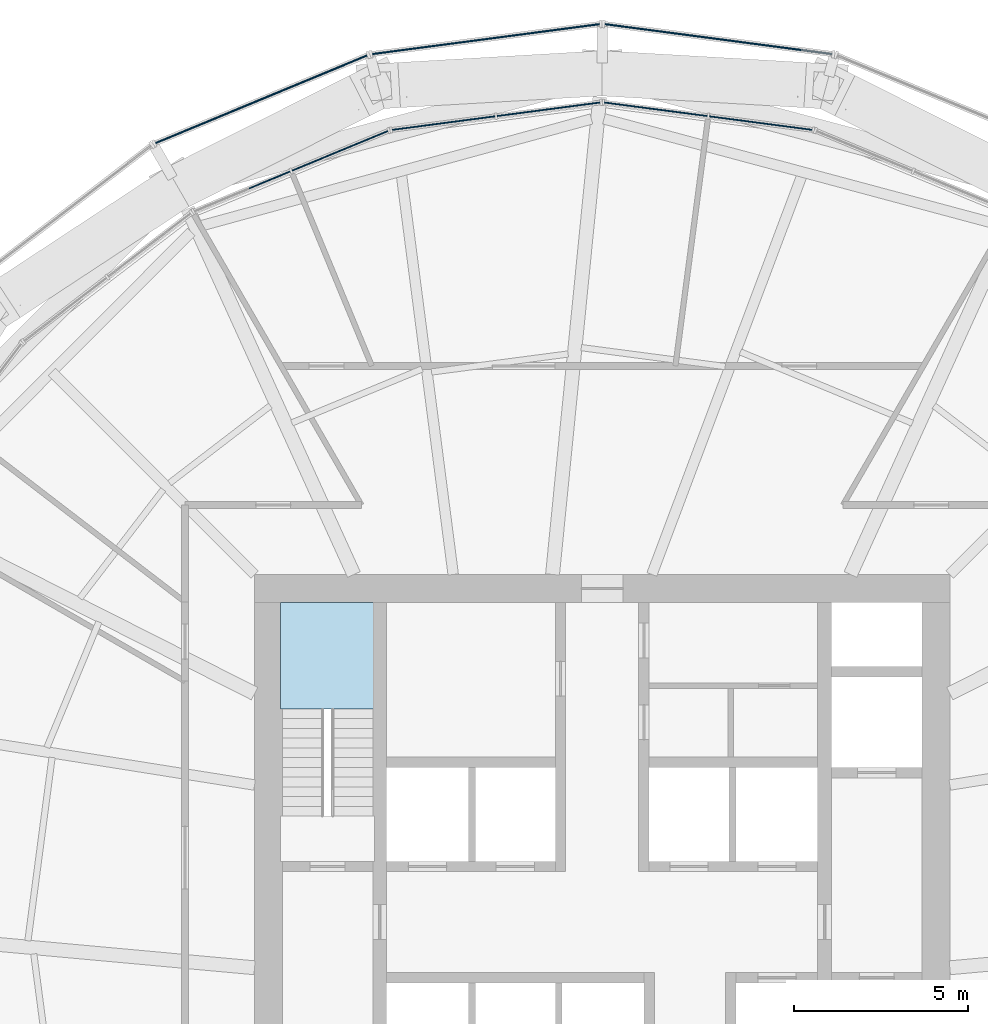
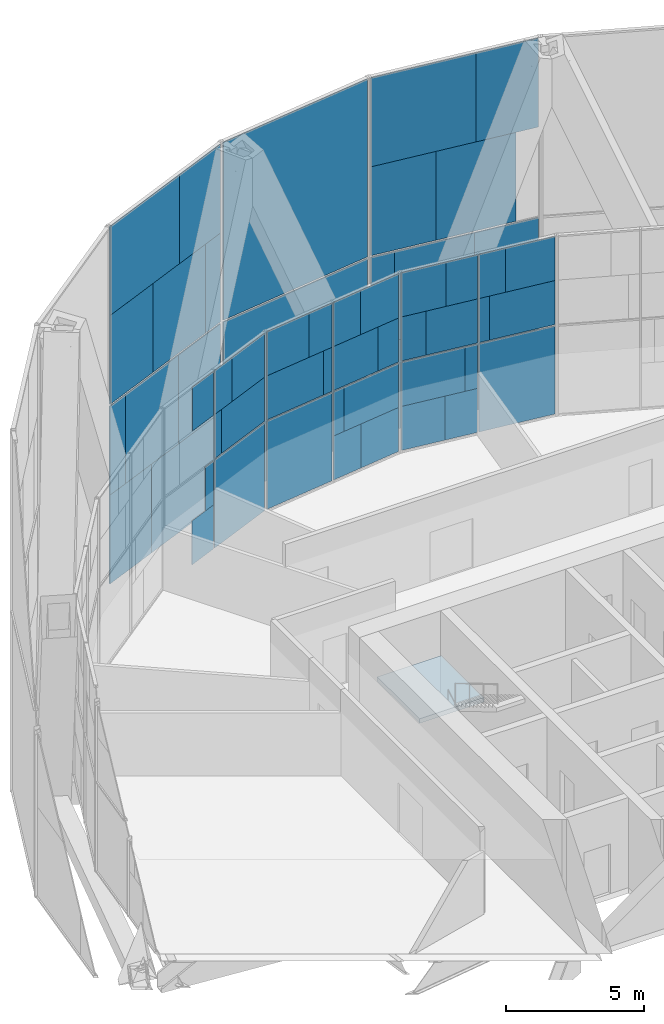
# One storey, part 17 of 22: 55 plates, 1 slab, 7 elements without a shape of their own.
"""IFC4 building model written with IfcOpenShell, lengths in metres."""

from ifc_helpers import new_model, si_unit, direction, frame, origin, origin_2d, place, context, subcontext, project, spatial, polyline, rectangle, outline, extrude, material, layer, layer_set, type_object, element, aggregate, save


model = new_model("IFC4")

# Units and contexts
model_context = context("Model", 3, precision=1e-05, world=origin(), true_north=direction((0.0, 1.0)))
body_context = subcontext(model_context, "Body", "Model", "MODEL_VIEW")
ifc_project = project(units=[si_unit("LENGTHUNIT", "METRE"), si_unit("AREAUNIT", "SQUARE_METRE"), si_unit("VOLUMEUNIT", "CUBIC_METRE"), si_unit("PLANEANGLEUNIT", "RADIAN"), si_unit("MASSUNIT", "GRAM", prefix="KILO")], contexts=[model_context])

# Site, building, storey
site_placement = place(None, origin())
site = spatial("IfcSite", under=ifc_project, at=site_placement, CompositionType="ELEMENT")
building_placement = place(site_placement, origin())
building = spatial("IfcBuilding", under=site, at=building_placement, Name="Golbaran Civic Tower", CompositionType="ELEMENT")
storey_placement = place(building_placement, frame((0.0, 0.0, 53.0)))
storey = spatial("IfcBuildingStorey", under=building, at=storey_placement, Name="L12", CompositionType="ELEMENT", Elevation=53.0)

# Curtain wall, plates
ifc_material_1 = material(Name="Aluminium and glass", Category="aluminium")
curtain_wall_type_1 = type_object("IfcCurtainWallType", Name="INNER SKIN CURTAIN WALL", PredefinedType="NOTDEFINED", material=ifc_material_1)
curtain_wall_1_placement = place(storey_placement, origin())
curtain_wall_1 = element("IfcCurtainWall", 1, at=curtain_wall_1_placement, inside=storey, type_object=curtain_wall_type_1, Name="Inner skin L12 facet 6 CW1", ObjectType="INNER SKIN", PredefinedType="USERDEFINED")
ifc_material_2 = material(Name="Clear insulating glass", Category="glass")
ifc_layer_1 = layer(ifc_material_2, 0.031982421875, Name="Clear insulating glass")
ifc_layer_set_1 = layer_set([ifc_layer_1], Name="Clear insulating glass")
plate_type_1 = type_object("IfcPlateType", Name="INNER SKIN CURTAIN WALL GLAZED PANEL", PredefinedType="CURTAIN_PANEL", material=ifc_layer_set_1)
plate_1_placement = place(storey_placement, frame((4.56201171875, 22.984375, 0.06494140625), z_axis=(0.0, 0.0, 1.0), x_axis=(-0.991444861374, 0.13052619222, 0.0)))
plate_1 = element("IfcPlate", 2, at=plate_1_placement, type_object=plate_type_1, Name="CW1 panel 1.1", PredefinedType="CURTAIN_PANEL", context=body_context, shape_type="SweptSolid", body=[
    extrude(rectangle(XDim=2.98095703125, YDim=0.031982421875, at=origin_2d()), origin(), (0.0, 0.0, 1.0), 3.902587890625),
])
plate_2_placement = place(storey_placement, frame((4.76123046875, 22.958251953125, 4.032470703125), z_axis=(0.0, 0.0, 1.0), x_axis=(-0.991444861374, 0.13052619222, 0.0)))
plate_2 = element("IfcPlate", 3, at=plate_2_placement, type_object=plate_type_1, Name="CW1 panel 1.2 part 1", PredefinedType="CURTAIN_PANEL", context=body_context, shape_type="SweptSolid", body=[
    extrude(rectangle(XDim=2.5791015625, YDim=0.031982421875, at=origin_2d()), origin(), (0.0, 0.0, 1.0), 1.951171875),
])
plate_3_placement = place(storey_placement, frame((5.080078125, 22.916259765625, 5.98388671875), z_axis=(0.0, 0.0, 1.0), x_axis=(-0.991444861374, 0.13052619222, 0.0)))
plate_3 = element("IfcPlate", 4, at=plate_3_placement, type_object=plate_type_1, Name="CW1 panel 1.2 part 3", PredefinedType="CURTAIN_PANEL", context=body_context, shape_type="SweptSolid", body=[
    extrude(rectangle(XDim=1.93603515625, YDim=0.031982421875, at=origin_2d()), origin(), (0.0, 0.0, 1.0), 1.951171875),
])
plate_4_placement = place(storey_placement, frame((2.389892578125, 23.270263671875, 0.06494140625), z_axis=(0.0, 0.0, 1.0), x_axis=(-0.991444861374, 0.13052619222, 0.0)))
plate_4 = element("IfcPlate", 5, at=plate_4_placement, type_object=plate_type_1, Name="CW1 panel 2.1 part 1", PredefinedType="CURTAIN_PANEL", context=body_context, shape_type="SweptSolid", body=[
    extrude(rectangle(XDim=1.27099609375, YDim=0.031982421875, at=origin_2d()), origin(), (0.0, 0.0, 1.0), 1.951171875),
])
plate_5_placement = place(storey_placement, frame((2.779052734375, 23.21923828125, 2.016357421875), z_axis=(0.0, 0.0, 1.0), x_axis=(-0.991444861374, 0.13052619222, 0.0)))
plate_5 = element("IfcPlate", 6, at=plate_5_placement, type_object=plate_type_1, Name="CW1 panel 2.1 part 3", PredefinedType="CURTAIN_PANEL", context=body_context, shape_type="SweptSolid", body=[
    extrude(rectangle(XDim=0.486083984375, YDim=0.031982421875, at=origin_2d()), origin(), (0.0, 0.0, 1.0), 1.951171875),
])
plate_6_placement = place(storey_placement, frame((0.536376953125, 23.514404296875, 4.032470703125), z_axis=(0.0, 0.0, 1.0), x_axis=(-0.991444861374, 0.13052619222, 0.0)))
plate_6 = element("IfcPlate", 7, at=plate_6_placement, type_object=plate_type_1, Name="CW1 panel 2.2 part 2", PredefinedType="CURTAIN_PANEL", context=body_context, shape_type="SweptSolid", body=[
    extrude(rectangle(XDim=0.951904296875, YDim=0.031982421875, at=origin_2d()), origin(), (0.0, 0.0, 1.0), 1.951171875),
])
plate_7_placement = place(storey_placement, frame((0.927490234375, 23.462890625, 5.98388671875), z_axis=(0.0, 0.0, 1.0), x_axis=(-0.991444861374, 0.13052619222, 0.0)))
plate_7 = element("IfcPlate", 8, at=plate_7_placement, type_object=plate_type_1, Name="CW1 panel 2.2 part 4", PredefinedType="CURTAIN_PANEL", context=body_context, shape_type="SweptSolid", body=[
    extrude(rectangle(XDim=1.740966796875, YDim=0.031982421875, at=origin_2d()), origin(), (0.0, 0.0, 1.0), 1.951171875),
])

curtain_wall_2_placement = place(storey_placement, origin())
curtain_wall_2 = element("IfcCurtainWall", 9, at=curtain_wall_2_placement, inside=storey, type_object=curtain_wall_type_1, Name="Inner skin L12 facet 7 CW1", ObjectType="INNER SKIN", PredefinedType="USERDEFINED")
plate_8_placement = place(storey_placement, frame((-2.389892578125, 23.270263671875, 0.06494140625), z_axis=(0.0, 0.0, 1.0), x_axis=(-0.991444861374, -0.13052619222, 0.0)))
plate_8 = element("IfcPlate", 10, at=plate_8_placement, type_object=plate_type_1, Name="CW1 panel 1.1 part 2", PredefinedType="CURTAIN_PANEL", context=body_context, shape_type="SweptSolid", body=[
    extrude(rectangle(XDim=1.27099609375, YDim=0.031982421875, at=origin_2d()), origin(), (0.0, 0.0, 1.0), 1.951171875),
])
plate_9_placement = place(storey_placement, frame((-2.779052734375, 23.21923828125, 2.016357421875), z_axis=(0.0, 0.0, 1.0), x_axis=(-0.991444861374, -0.13052619222, 0.0)))
plate_9 = element("IfcPlate", 11, at=plate_9_placement, type_object=plate_type_1, Name="CW1 panel 1.1 part 4", PredefinedType="CURTAIN_PANEL", context=body_context, shape_type="SweptSolid", body=[
    extrude(rectangle(XDim=0.48583984375, YDim=0.031982421875, at=origin_2d()), origin(), (0.0, 0.0, 1.0), 1.951171875),
])
plate_10_placement = place(storey_placement, frame((-0.536376953125, 23.514404296875, 4.032470703125), z_axis=(0.0, 0.0, 1.0), x_axis=(-0.991444861374, -0.13052619222, 0.0)))
plate_10 = element("IfcPlate", 12, at=plate_10_placement, type_object=plate_type_1, Name="CW1 panel 1.2 part 1", PredefinedType="CURTAIN_PANEL", context=body_context, shape_type="SweptSolid", body=[
    extrude(rectangle(XDim=0.951904296875, YDim=0.031982421875, at=origin_2d()), origin(), (0.0, 0.0, 1.0), 1.951171875),
])
plate_11_placement = place(storey_placement, frame((-0.927490234375, 23.462890625, 5.98388671875), z_axis=(0.0, 0.0, 1.0), x_axis=(-0.991444861374, -0.13052619222, 0.0)))
plate_11 = element("IfcPlate", 13, at=plate_11_placement, type_object=plate_type_1, Name="CW1 panel 1.2 part 3", PredefinedType="CURTAIN_PANEL", context=body_context, shape_type="SweptSolid", body=[
    extrude(rectangle(XDim=1.740966796875, YDim=0.031982421875, at=origin_2d()), origin(), (0.0, 0.0, 1.0), 1.951171875),
])
plate_12_placement = place(storey_placement, frame((-4.56201171875, 22.984375, 0.06494140625), z_axis=(0.0, 0.0, 1.0), x_axis=(-0.991444861374, -0.13052619222, 0.0)))
plate_12 = element("IfcPlate", 14, at=plate_12_placement, type_object=plate_type_1, Name="CW1 panel 2.1", PredefinedType="CURTAIN_PANEL", context=body_context, shape_type="SweptSolid", body=[
    extrude(rectangle(XDim=2.98095703125, YDim=0.031982421875, at=origin_2d()), origin(), (0.0, 0.0, 1.0), 3.902587890625),
])
plate_13_placement = place(storey_placement, frame((-4.76025390625, 22.958251953125, 4.032470703125), z_axis=(0.0, 0.0, 1.0), x_axis=(-0.991444861374, -0.13052619222, 0.0)))
plate_13 = element("IfcPlate", 15, at=plate_13_placement, type_object=plate_type_1, Name="CW1 panel 2.2 part 2", PredefinedType="CURTAIN_PANEL", context=body_context, shape_type="SweptSolid", body=[
    extrude(rectangle(XDim=2.5810546875, YDim=0.031982421875, at=origin_2d()), origin(), (0.0, 0.0, 1.0), 1.951171875),
])
plate_14_placement = place(storey_placement, frame((-5.080078125, 22.916259765625, 5.98388671875), z_axis=(0.0, 0.0, 1.0), x_axis=(-0.991444861374, -0.13052619222, 0.0)))
plate_14 = element("IfcPlate", 16, at=plate_14_placement, type_object=plate_type_1, Name="CW1 panel 2.2 part 4", PredefinedType="CURTAIN_PANEL", context=body_context, shape_type="SweptSolid", body=[
    extrude(rectangle(XDim=1.93603515625, YDim=0.031982421875, at=origin_2d()), origin(), (0.0, 0.0, 1.0), 1.951171875),
])

curtain_wall_3_placement = place(storey_placement, origin())
curtain_wall_3 = element("IfcCurtainWall", 17, at=curtain_wall_3_placement, inside=storey, type_object=curtain_wall_type_1, Name="Inner skin L12 facet 8 CW1", ObjectType="INNER SKIN", PredefinedType="USERDEFINED")
plate_15_placement = place(storey_placement, frame((-7.541259765625, 22.18603515625, 0.06494140625), z_axis=(0.0, 0.0, 1.0), x_axis=(-0.923879532491, -0.382683432413, 0.0)))
plate_15 = element("IfcPlate", 18, at=plate_15_placement, type_object=plate_type_1, Name="CW1 panel 1.1", PredefinedType="CURTAIN_PANEL", context=body_context, shape_type="SweptSolid", body=[
    extrude(rectangle(XDim=2.98095703125, YDim=0.031982421875, at=origin_2d()), origin(), (0.0, 0.0, 1.0), 3.902587890625),
])
plate_16_placement = place(storey_placement, frame((-7.355712890625, 22.262939453125, 4.032470703125), z_axis=(0.0, 0.0, 1.0), x_axis=(-0.923879532491, -0.382683432413, 0.0)))
plate_16 = element("IfcPlate", 19, at=plate_16_placement, type_object=plate_type_1, Name="CW1 panel 1.2 part 1", PredefinedType="CURTAIN_PANEL", context=body_context, shape_type="SweptSolid", body=[
    extrude(rectangle(XDim=2.5791015625, YDim=0.031982421875, at=origin_2d()), origin(), (0.0, 0.0, 1.0), 1.951171875),
])
plate_17_placement = place(storey_placement, frame((-7.05859375, 22.385986328125, 5.98388671875), z_axis=(0.0, 0.0, 1.0), x_axis=(-0.923879532491, -0.382683432413, 0.0)))
plate_17 = element("IfcPlate", 20, at=plate_17_placement, type_object=plate_type_1, Name="CW1 panel 1.2 part 3", PredefinedType="CURTAIN_PANEL", context=body_context, shape_type="SweptSolid", body=[
    extrude(rectangle(XDim=1.93603515625, YDim=0.031982421875, at=origin_2d()), origin(), (0.0, 0.0, 1.0), 1.951171875),
])
plate_18_placement = place(storey_placement, frame((-9.5654296875, 21.34765625, 0.06494140625), z_axis=(0.0, 0.0, 1.0), x_axis=(-0.923879532491, -0.382683432413, 0.0)))
plate_18 = element("IfcPlate", 21, at=plate_18_placement, type_object=plate_type_1, Name="CW1 panel 2.1 part 1", PredefinedType="CURTAIN_PANEL", context=body_context, shape_type="SweptSolid", body=[
    extrude(rectangle(XDim=1.27099609375, YDim=0.031982421875, at=origin_2d()), origin(), (0.0, 0.0, 1.0), 1.951171875),
])
plate_19_placement = place(storey_placement, frame((-9.202880859375, 21.497802734375, 2.016357421875), z_axis=(0.0, 0.0, 1.0), x_axis=(-0.923879532491, -0.382683432413, 0.0)))
plate_19 = element("IfcPlate", 22, at=plate_19_placement, type_object=plate_type_1, Name="CW1 panel 2.1 part 3", PredefinedType="CURTAIN_PANEL", context=body_context, shape_type="SweptSolid", body=[
    extrude(rectangle(XDim=0.486083984375, YDim=0.031982421875, at=origin_2d()), origin(), (0.0, 0.0, 1.0), 1.951171875),
])

# Plate
ifc_material_3 = material(Name="Aluminium faced opaque infill panel", Category="aluminium")
ifc_layer_2 = layer(ifc_material_3, 0.031982421875, Name="Aluminium faced opaque infill panel")
ifc_layer_set_2 = layer_set([ifc_layer_2], Name="Aluminium faced opaque infill panel")
plate_type_2 = type_object("IfcPlateType", Name="INNER SKIN CURTAIN WALL OPAQUE INFILL PANEL", PredefinedType="CURTAIN_PANEL", material=ifc_layer_set_2)
plate_20_placement = place(storey_placement, frame((3.28369140625, 23.152587890625, 4.032470703125), z_axis=(0.0, 0.0, 1.0), x_axis=(-0.991444861374, 0.13052619222, 0.0)))
plate_20 = element("IfcPlate", 23, at=plate_20_placement, type_object=plate_type_2, Name="CW1 infill panel 1.2 part 2", PredefinedType="CURTAIN_PANEL", context=body_context, shape_type="SweptSolid", body=[
    extrude(rectangle(XDim=0.40185546875, YDim=0.031982421875, at=origin_2d()), origin(), (0.0, 0.0, 1.0), 1.951171875),
])

plate_21_placement = place(storey_placement, frame((3.602294921875, 23.11083984375, 5.98388671875), z_axis=(0.0, 0.0, 1.0), x_axis=(-0.991444861374, 0.13052619222, 0.0)))
plate_21 = element("IfcPlate", 24, at=plate_21_placement, type_object=plate_type_2, Name="CW1 infill panel 1.2 part 4", PredefinedType="CURTAIN_PANEL", context=body_context, shape_type="SweptSolid", body=[
    extrude(rectangle(XDim=1.044921875, YDim=0.031982421875, at=origin_2d()), origin(), (0.0, 0.0, 1.0), 1.951171875),
])

plate_22_placement = place(storey_placement, frame((0.912109375, 23.46484375, 0.06494140625), z_axis=(0.0, 0.0, 1.0), x_axis=(-0.991444861374, 0.13052619222, 0.0)))
plate_22 = element("IfcPlate", 25, at=plate_22_placement, type_object=plate_type_2, Name="CW1 infill panel 2.1 part 2", PredefinedType="CURTAIN_PANEL", context=body_context, shape_type="SweptSolid", body=[
    extrude(rectangle(XDim=1.7099609375, YDim=0.031982421875, at=origin_2d()), origin(), (0.0, 0.0, 1.0), 1.951171875),
])

plate_23_placement = place(storey_placement, frame((1.30126953125, 23.41357421875, 2.016357421875), z_axis=(0.0, 0.0, 1.0), x_axis=(-0.991444861374, 0.13052619222, 0.0)))
plate_23 = element("IfcPlate", 26, at=plate_23_placement, type_object=plate_type_2, Name="CW1 infill panel 2.1 part 4", PredefinedType="CURTAIN_PANEL", context=body_context, shape_type="SweptSolid", body=[
    extrude(rectangle(XDim=2.494873046875, YDim=0.031982421875, at=origin_2d()), origin(), (0.0, 0.0, 1.0), 1.951171875),
])

plate_24_placement = place(storey_placement, frame((2.01416015625, 23.31982421875, 4.032470703125), z_axis=(0.0, 0.0, 1.0), x_axis=(-0.991444861374, 0.13052619222, 0.0)))
plate_24 = element("IfcPlate", 27, at=plate_24_placement, type_object=plate_type_2, Name="CW1 infill panel 2.2 part 1", PredefinedType="CURTAIN_PANEL", context=body_context, shape_type="SweptSolid", body=[
    extrude(rectangle(XDim=2.029052734375, YDim=0.031982421875, at=origin_2d()), origin(), (0.0, 0.0, 1.0), 1.951171875),
])

plate_25_placement = place(storey_placement, frame((2.4052734375, 23.268310546875, 5.98388671875), z_axis=(0.0, 0.0, 1.0), x_axis=(-0.991444861374, 0.13052619222, 0.0)))
plate_25 = element("IfcPlate", 28, at=plate_25_placement, type_object=plate_type_2, Name="CW1 infill panel 2.2 part 3", PredefinedType="CURTAIN_PANEL", context=body_context, shape_type="SweptSolid", body=[
    extrude(rectangle(XDim=1.239990234375, YDim=0.031982421875, at=origin_2d()), origin(), (0.0, 0.0, 1.0), 1.951171875),
])

aggregate(curtain_wall_1, [plate_1, plate_2, plate_20, plate_3, plate_21, plate_4, plate_22, plate_5, plate_23, plate_24, plate_6, plate_25, plate_7])

plate_26_placement = place(storey_placement, frame((-0.912109375, 23.46484375, 0.06494140625), z_axis=(0.0, 0.0, 1.0), x_axis=(-0.991444861374, -0.13052619222, 0.0)))
plate_26 = element("IfcPlate", 29, at=plate_26_placement, type_object=plate_type_2, Name="CW1 infill panel 1.1 part 1", PredefinedType="CURTAIN_PANEL", context=body_context, shape_type="SweptSolid", body=[
    extrude(rectangle(XDim=1.7099609375, YDim=0.031982421875, at=origin_2d()), origin(), (0.0, 0.0, 1.0), 1.951171875),
])

plate_27_placement = place(storey_placement, frame((-1.30126953125, 23.41357421875, 2.016357421875), z_axis=(0.0, 0.0, 1.0), x_axis=(-0.991444861374, -0.13052619222, 0.0)))
plate_27 = element("IfcPlate", 30, at=plate_27_placement, type_object=plate_type_2, Name="CW1 infill panel 1.1 part 3", PredefinedType="CURTAIN_PANEL", context=body_context, shape_type="SweptSolid", body=[
    extrude(rectangle(XDim=2.4951171875, YDim=0.031982421875, at=origin_2d()), origin(), (0.0, 0.0, 1.0), 1.951171875),
])

plate_28_placement = place(storey_placement, frame((-2.01416015625, 23.31982421875, 4.032470703125), z_axis=(0.0, 0.0, 1.0), x_axis=(-0.991444861374, -0.13052619222, 0.0)))
plate_28 = element("IfcPlate", 31, at=plate_28_placement, type_object=plate_type_2, Name="CW1 infill panel 1.2 part 2", PredefinedType="CURTAIN_PANEL", context=body_context, shape_type="SweptSolid", body=[
    extrude(rectangle(XDim=2.029052734375, YDim=0.031982421875, at=origin_2d()), origin(), (0.0, 0.0, 1.0), 1.951171875),
])

plate_29_placement = place(storey_placement, frame((-2.4052734375, 23.268310546875, 5.98388671875), z_axis=(0.0, 0.0, 1.0), x_axis=(-0.991444861374, -0.13052619222, 0.0)))
plate_29 = element("IfcPlate", 32, at=plate_29_placement, type_object=plate_type_2, Name="CW1 infill panel 1.2 part 4", PredefinedType="CURTAIN_PANEL", context=body_context, shape_type="SweptSolid", body=[
    extrude(rectangle(XDim=1.239990234375, YDim=0.031982421875, at=origin_2d()), origin(), (0.0, 0.0, 1.0), 1.951171875),
])

plate_30_placement = place(storey_placement, frame((-3.28271484375, 23.15283203125, 4.032470703125), z_axis=(0.0, 0.0, 1.0), x_axis=(-0.991444861374, -0.13052619222, 0.0)))
plate_30 = element("IfcPlate", 33, at=plate_30_placement, type_object=plate_type_2, Name="CW1 infill panel 2.2 part 1", PredefinedType="CURTAIN_PANEL", context=body_context, shape_type="SweptSolid", body=[
    extrude(rectangle(XDim=0.39990234375, YDim=0.031982421875, at=origin_2d()), origin(), (0.0, 0.0, 1.0), 1.951171875),
])

plate_31_placement = place(storey_placement, frame((-3.602294921875, 23.11083984375, 5.98388671875), z_axis=(0.0, 0.0, 1.0), x_axis=(-0.991444861374, -0.13052619222, 0.0)))
plate_31 = element("IfcPlate", 34, at=plate_31_placement, type_object=plate_type_2, Name="CW1 infill panel 2.2 part 3", PredefinedType="CURTAIN_PANEL", context=body_context, shape_type="SweptSolid", body=[
    extrude(rectangle(XDim=1.044921875, YDim=0.031982421875, at=origin_2d()), origin(), (0.0, 0.0, 1.0), 1.951171875),
])

aggregate(curtain_wall_2, [plate_26, plate_8, plate_27, plate_9, plate_10, plate_28, plate_11, plate_29, plate_12, plate_30, plate_13, plate_31, plate_14])

plate_32_placement = place(storey_placement, frame((-8.732666015625, 21.692626953125, 4.032470703125), z_axis=(0.0, 0.0, 1.0), x_axis=(-0.923879532491, -0.382683432413, 0.0)))
plate_32 = element("IfcPlate", 35, at=plate_32_placement, type_object=plate_type_2, Name="CW1 infill panel 1.2 part 2", PredefinedType="CURTAIN_PANEL", context=body_context, shape_type="SweptSolid", body=[
    extrude(rectangle(XDim=0.40185546875, YDim=0.031982421875, at=origin_2d()), origin(), (0.0, 0.0, 1.0), 1.951171875),
])

plate_33_placement = place(storey_placement, frame((-8.435546875, 21.815673828125, 5.98388671875), z_axis=(0.0, 0.0, 1.0), x_axis=(-0.923879532491, -0.382683432413, 0.0)))
plate_33 = element("IfcPlate", 36, at=plate_33_placement, type_object=plate_type_2, Name="CW1 infill panel 1.2 part 4", PredefinedType="CURTAIN_PANEL", context=body_context, shape_type="SweptSolid", body=[
    extrude(rectangle(XDim=1.044921875, YDim=0.031982421875, at=origin_2d()), origin(), (0.0, 0.0, 1.0), 1.951171875),
])

plate_34_placement = place(storey_placement, frame((-9.55126953125, 21.353515625, 5.98388671875), z_axis=(0.0, 0.0, 1.0), x_axis=(-0.923879532491, -0.382683432413, 0.0)))
plate_34 = element("IfcPlate", 37, at=plate_34_placement, type_object=plate_type_2, Name="CW1 infill panel 2.2 part 3", PredefinedType="CURTAIN_PANEL", context=body_context, shape_type="SweptSolid", body=[
    extrude(rectangle(XDim=1.239990234375, YDim=0.031982421875, at=origin_2d()), origin(), (0.0, 0.0, 1.0), 1.951171875),
])

aggregate(curtain_wall_3, [plate_15, plate_16, plate_32, plate_17, plate_33, plate_18, plate_19, plate_34])

# Curtain wall, plates
curtain_wall_type_2 = type_object("IfcCurtainWallType", Name="OUTER SKIN TERRACOTTA SCREEN", PredefinedType="NOTDEFINED", material=ifc_material_1)
curtain_wall_4_placement = place(storey_placement, origin())
curtain_wall_4 = element("IfcCurtainWall", 38, at=curtain_wall_4_placement, inside=storey, type_object=curtain_wall_type_2, Name="Outer skin L12 facet 6 CW3", ObjectType="OUTER SKIN", PredefinedType="USERDEFINED")
ifc_material_4 = material(Name="Clear laminated glass", Category="glass")
ifc_layer_3 = layer(ifc_material_4, 0.0400390625, Name="Clear laminated glass")
ifc_layer_set_3 = layer_set([ifc_layer_3], Name="Clear laminated glass")
plate_type_3 = type_object("IfcPlateType", Name="OUTER SKIN CLEAR GLASS PANEL", PredefinedType="CURTAIN_PANEL", material=ifc_layer_set_3)
plate_35_placement = place(storey_placement, frame((4.573974609375, 25.23876953125, -0.6298828125), z_axis=(0.0, 0.0, 1.0), x_axis=(-0.991444861369, 0.130526192255, 0.0)))
plate_35 = element("IfcPlate", 39, at=plate_35_placement, type_object=plate_type_3, Name="CW3 panel 1.1 part 1", PredefinedType="CURTAIN_PANEL", context=body_context, shape_type="SweptSolid", body=[
    extrude(rectangle(XDim=4.10498046875, YDim=0.0400390625, at=origin_2d()), origin(), (0.0, 0.0, 1.0), 3.93994140625),
])
plate_36_placement = place(storey_placement, frame((5.364013671875, 25.134765625, 3.31005859375), z_axis=(0.0, 0.0, 1.0), x_axis=(-0.991444861369, 0.130526192255, 0.0)))
plate_36 = element("IfcPlate", 40, at=plate_36_placement, type_object=plate_type_3, Name="CW3 panel 1.1 part 3", PredefinedType="CURTAIN_PANEL", context=body_context, shape_type="SweptSolid", body=[
    extrude(rectangle(XDim=2.510986328125, YDim=0.0400390625, at=origin_2d()), origin(), (0.0, 0.0, 1.0), 3.93994140625),
])
plate_37_placement = place(storey_placement, frame((0.543212890625, 25.76953125, 3.31005859375), z_axis=(0.0, 0.0, 1.0), x_axis=(-0.991444861369, 0.130526192255, 0.0)))
plate_37 = element("IfcPlate", 41, at=plate_37_placement, type_object=plate_type_3, Name="CW3 panel 1.1 part 5", PredefinedType="CURTAIN_PANEL", context=body_context, shape_type="SweptSolid", body=[
    extrude(rectangle(XDim=0.935791015625, YDim=0.0400390625, at=origin_2d()), origin(), (0.0, 0.0, 1.0), 3.93994140625),
])
plate_38_placement = place(storey_placement, frame((1.3447265625, 25.6640625, 7.330078125), z_axis=(0.0, 0.0, 1.0), x_axis=(-0.991444861369, 0.130526192255, 0.0)))
plate_38 = element("IfcPlate", 42, at=plate_38_placement, type_object=plate_type_3, Name="CW3 panel 1.2 part 3", PredefinedType="CURTAIN_PANEL", context=body_context, shape_type="SweptSolid", body=[
    extrude(rectangle(XDim=2.552734375, YDim=0.0400390625, at=origin_2d()), origin(), (0.0, 0.0, 1.0), 3.93994140625),
])
plate_39_placement = place(storey_placement, frame((2.130615234375, 25.560546875, 11.27001953125), z_axis=(0.0, 0.0, 1.0), x_axis=(-0.991444861369, 0.130526192255, 0.0)))
plate_39 = element("IfcPlate", 43, at=plate_39_placement, type_object=plate_type_3, Name="CW3 panel 1.2 part 5", PredefinedType="CURTAIN_PANEL", context=body_context, shape_type="SweptSolid", body=[
    extrude(rectangle(XDim=4.137939453125, YDim=0.0400390625, at=origin_2d()), origin(), (0.0, 0.0, 1.0), 3.93994140625),
])

curtain_wall_5_placement = place(storey_placement, origin())
curtain_wall_5 = element("IfcCurtainWall", 44, at=curtain_wall_5_placement, inside=storey, type_object=curtain_wall_type_2, Name="Outer skin L12 facet 8 CW3", ObjectType="OUTER SKIN", PredefinedType="USERDEFINED")
plate_40_placement = place(storey_placement, frame((-8.658203125, 24.14453125, -0.6298828125), z_axis=(0.0, 0.0, 1.0), x_axis=(-0.923879532518, -0.382683432349, 0.0)))
plate_40 = element("IfcPlate", 45, at=plate_40_placement, type_object=plate_type_3, Name="CW3 panel 1.1 part 1", PredefinedType="CURTAIN_PANEL", context=body_context, shape_type="SweptSolid", body=[
    extrude(rectangle(XDim=4.10498046875, YDim=0.0400390625, at=origin_2d()), origin(), (0.0, 0.0, 1.0), 3.93994140625),
])
plate_41_placement = place(storey_placement, frame((-7.921875, 24.449462890625, 3.31005859375), z_axis=(0.0, 0.0, 1.0), x_axis=(-0.923879532518, -0.382683432349, 0.0)))
plate_41 = element("IfcPlate", 46, at=plate_41_placement, type_object=plate_type_3, Name="CW3 panel 1.1 part 3", PredefinedType="CURTAIN_PANEL", context=body_context, shape_type="SweptSolid", body=[
    extrude(rectangle(XDim=2.510986328125, YDim=0.0400390625, at=origin_2d()), origin(), (0.0, 0.0, 1.0), 3.93994140625),
])
plate_42_placement = place(storey_placement, frame((-12.414306640625, 22.588623046875, 3.31005859375), z_axis=(0.0, 0.0, 1.0), x_axis=(-0.923879532518, -0.382683432349, 0.0)))
plate_42 = element("IfcPlate", 47, at=plate_42_placement, type_object=plate_type_3, Name="CW3 panel 1.1 part 5", PredefinedType="CURTAIN_PANEL", context=body_context, shape_type="SweptSolid", body=[
    extrude(rectangle(XDim=0.935791015625, YDim=0.0400390625, at=origin_2d()), origin(), (0.0, 0.0, 1.0), 3.93994140625),
])
plate_43_placement = place(storey_placement, frame((-7.17138671875, 24.76025390625, 7.330078125), z_axis=(0.0, 0.0, 1.0), x_axis=(-0.923879532518, -0.382683432349, 0.0)))
plate_43 = element("IfcPlate", 48, at=plate_43_placement, type_object=plate_type_3, Name="CW3 panel 1.2 part 1", PredefinedType="CURTAIN_PANEL", context=body_context, shape_type="SweptSolid", body=[
    extrude(rectangle(XDim=0.885986328125, YDim=0.0400390625, at=origin_2d()), origin(), (0.0, 0.0, 1.0), 3.93994140625),
])
plate_44_placement = place(storey_placement, frame((-11.667236328125, 22.89794921875, 7.330078125), z_axis=(0.0, 0.0, 1.0), x_axis=(-0.923879532518, -0.382683432349, 0.0)))
plate_44 = element("IfcPlate", 49, at=plate_44_placement, type_object=plate_type_3, Name="CW3 panel 1.2 part 3", PredefinedType="CURTAIN_PANEL", context=body_context, shape_type="SweptSolid", body=[
    extrude(rectangle(XDim=2.552734375, YDim=0.0400390625, at=origin_2d()), origin(), (0.0, 0.0, 1.0), 3.93994140625),
])
plate_45_placement = place(storey_placement, frame((-10.93505859375, 23.201416015625, 11.27001953125), z_axis=(0.0, 0.0, 1.0), x_axis=(-0.923879532518, -0.382683432349, 0.0)))
plate_45 = element("IfcPlate", 50, at=plate_45_placement, type_object=plate_type_3, Name="CW3 panel 1.2 part 5", PredefinedType="CURTAIN_PANEL", context=body_context, shape_type="SweptSolid", body=[
    extrude(rectangle(XDim=4.137939453125, YDim=0.0400390625, at=origin_2d()), origin(), (0.0, 0.0, 1.0), 3.93994140625),
])

# Plate
ifc_material_5 = material(Name="Terracotta baguette screen", Category="masonry")
ifc_layer_4 = layer(ifc_material_5, 0.0400390625, Name="Terracotta baguette screen")
ifc_layer_set_4 = layer_set([ifc_layer_4], Name="Terracotta baguette screen")
plate_type_4 = type_object("IfcPlateType", Name="OUTER SKIN TERRACOTTA INFILL PANEL", PredefinedType="CURTAIN_PANEL", material=ifc_layer_set_4)
plate_46_placement = place(storey_placement, frame((1.30908203125, 25.668701171875, -0.6298828125), z_axis=(0.0, 0.0, 1.0), x_axis=(-0.991444861369, 0.130526192255, 0.0)))
plate_46 = element("IfcPlate", 51, at=plate_46_placement, type_object=plate_type_4, Name="CW3 infill panel 1.1 part 2", PredefinedType="CURTAIN_PANEL", context=body_context, shape_type="SweptSolid", body=[
    extrude(rectangle(XDim=2.48095703125, YDim=0.0400390625, at=origin_2d()), origin(), (0.0, 0.0, 1.0), 3.93994140625),
])

plate_47_placement = place(storey_placement, frame((2.563232421875, 25.503662109375, 3.31005859375), z_axis=(0.0, 0.0, 1.0), x_axis=(-0.991444861369, 0.130526192255, 0.0)))
plate_47 = element("IfcPlate", 52, at=plate_47_placement, type_object=plate_type_4, Name="CW3 infill panel 1.1 part 4", PredefinedType="CURTAIN_PANEL", context=body_context, shape_type="SweptSolid", body=[
    extrude(rectangle(XDim=3.138916015625, YDim=0.0400390625, at=origin_2d()), origin(), (0.0, 0.0, 1.0), 3.93994140625),
])

plate_48_placement = place(storey_placement, frame((4.17041015625, 25.2919921875, 7.330078125), z_axis=(0.0, 0.0, 1.0), x_axis=(-0.991444861369, 0.130526192255, 0.0)))
plate_48 = element("IfcPlate", 53, at=plate_48_placement, type_object=plate_type_4, Name="CW3 infill panel 1.2 part 2", PredefinedType="CURTAIN_PANEL", context=body_context, shape_type="SweptSolid", body=[
    extrude(rectangle(XDim=3.14697265625, YDim=0.0400390625, at=origin_2d()), origin(), (0.0, 0.0, 1.0), 3.93994140625),
])

plate_49_placement = place(storey_placement, frame((5.395263671875, 25.130615234375, 11.27001953125), z_axis=(0.0, 0.0, 1.0), x_axis=(-0.991444861369, 0.130526192255, 0.0)))
plate_49 = element("IfcPlate", 54, at=plate_49_placement, type_object=plate_type_4, Name="CW3 infill panel 1.2 part 4", PredefinedType="CURTAIN_PANEL", context=body_context, shape_type="SweptSolid", body=[
    extrude(rectangle(XDim=2.447998046875, YDim=0.0400390625, at=origin_2d()), origin(), (0.0, 0.0, 1.0), 3.93994140625),
])

aggregate(curtain_wall_4, [plate_35, plate_46, plate_36, plate_47, plate_37, plate_48, plate_38, plate_49, plate_39])

plate_50_placement = place(storey_placement, frame((-11.70068359375, 22.88427734375, -0.6298828125), z_axis=(0.0, 0.0, 1.0), x_axis=(-0.923879532518, -0.382683432349, 0.0)))
plate_50 = element("IfcPlate", 55, at=plate_50_placement, type_object=plate_type_4, Name="CW3 infill panel 1.1 part 2", PredefinedType="CURTAIN_PANEL", context=body_context, shape_type="SweptSolid", body=[
    extrude(rectangle(XDim=2.48095703125, YDim=0.0400390625, at=origin_2d()), origin(), (0.0, 0.0, 1.0), 3.93994140625),
])

plate_51_placement = place(storey_placement, frame((-10.531982421875, 23.368408203125, 3.31005859375), z_axis=(0.0, 0.0, 1.0), x_axis=(-0.923879532518, -0.382683432349, 0.0)))
plate_51 = element("IfcPlate", 56, at=plate_51_placement, type_object=plate_type_4, Name="CW3 infill panel 1.1 part 4", PredefinedType="CURTAIN_PANEL", context=body_context, shape_type="SweptSolid", body=[
    extrude(rectangle(XDim=3.138916015625, YDim=0.0400390625, at=origin_2d()), origin(), (0.0, 0.0, 1.0), 3.93994140625),
])

plate_52_placement = place(storey_placement, frame((-9.034423828125, 23.98876953125, 7.330078125), z_axis=(0.0, 0.0, 1.0), x_axis=(-0.923879532518, -0.382683432349, 0.0)))
plate_52 = element("IfcPlate", 57, at=plate_52_placement, type_object=plate_type_4, Name="CW3 infill panel 1.2 part 2", PredefinedType="CURTAIN_PANEL", context=body_context, shape_type="SweptSolid", body=[
    extrude(rectangle(XDim=3.14697265625, YDim=0.0400390625, at=origin_2d()), origin(), (0.0, 0.0, 1.0), 3.93994140625),
])

plate_53_placement = place(storey_placement, frame((-7.892822265625, 24.46142578125, 11.27001953125), z_axis=(0.0, 0.0, 1.0), x_axis=(-0.923879532518, -0.382683432349, 0.0)))
plate_53 = element("IfcPlate", 58, at=plate_53_placement, type_object=plate_type_4, Name="CW3 infill panel 1.2 part 4", PredefinedType="CURTAIN_PANEL", context=body_context, shape_type="SweptSolid", body=[
    extrude(rectangle(XDim=2.447998046875, YDim=0.0400390625, at=origin_2d()), origin(), (0.0, 0.0, 1.0), 3.93994140625),
])

aggregate(curtain_wall_5, [plate_40, plate_50, plate_41, plate_51, plate_42, plate_43, plate_52, plate_44, plate_53, plate_45])

# Curtain wall, plates
curtain_wall_6_placement = place(storey_placement, origin())
curtain_wall_6 = element("IfcCurtainWall", 59, at=curtain_wall_6_placement, inside=storey, type_object=curtain_wall_type_2, Name="Outer skin L12 facet 7 CW3", ObjectType="OUTER SKIN", PredefinedType="USERDEFINED")
ifc_layer_5 = layer(ifc_material_5, 0.0400390625, Name="Terracotta baguette screen")
ifc_layer_set_5 = layer_set([ifc_layer_5], Name="Terracotta baguette screen")
plate_type_5 = type_object("IfcPlateType", Name="OUTER SKIN TERRACOTTA SCREEN PANEL", PredefinedType="CURTAIN_PANEL", material=ifc_layer_set_5)
plate_54_placement = place(storey_placement, frame((-3.343994140625, 25.400634765625, -0.6298828125), z_axis=(0.0, 0.0, 1.0), x_axis=(-0.991444861369, -0.130526192255, 0.0)))
plate_54 = element("IfcPlate", 60, at=plate_54_placement, type_object=plate_type_5, Name="CW3 terracotta screen panel 1.1", PredefinedType="CURTAIN_PANEL", context=body_context, shape_type="SweptSolid", body=[
    extrude(rectangle(XDim=6.5859375, YDim=0.0400390625, at=origin_2d()), origin(), (0.0, 0.0, 1.0), 7.8798828125),
])
plate_55_placement = place(storey_placement, frame((-3.343994140625, 25.400634765625, 7.330078125), z_axis=(0.0, 0.0, 1.0), x_axis=(-0.991444861369, -0.130526192255, 0.0)))
plate_55 = element("IfcPlate", 61, at=plate_55_placement, type_object=plate_type_5, Name="CW3 terracotta screen panel 1.2", PredefinedType="CURTAIN_PANEL", context=body_context, shape_type="SweptSolid", body=[
    extrude(rectangle(XDim=6.5859375, YDim=0.0400390625, at=origin_2d()), origin(), (0.0, 0.0, 1.0), 7.8798828125),
])
aggregate(curtain_wall_6, [plate_54, plate_55])

# Stair, slab
ifc_material_6 = material(Name="Concrete C35/45", Category="concrete")
stair_type = type_object("IfcStairType", Name="EXIT STAIR 2600 x 7450, 4000 RISE", PredefinedType="HALF_TURN_STAIR", material=ifc_material_6)
stair_placement = place(storey_placement, origin())
stair = element("IfcStair", 62, at=stair_placement, inside=storey, type_object=stair_type, Name="Stair S1 L12", PredefinedType="HALF_TURN_STAIR")
ifc_layer_6 = layer(ifc_material_6, 0.199951171875, Name="Concrete C35/45")
ifc_layer_set_6 = layer_set([ifc_layer_6], Name="Concrete C35/45")
slab_type = type_object("IfcSlabType", Name="STAIR LANDING 200", PredefinedType="LANDING", material=ifc_layer_set_6)
slab_placement = place(storey_placement, frame((0.0, 0.0, 1.800048828125)))
slab = element("IfcSlab", 63, at=slab_placement, type_object=slab_type, Name="ST26074-40 landing 1", PredefinedType="LANDING", context=body_context, shape_type="SweptSolid", body=[
    extrude(outline(polyline([(-9.25, 6.125), (-9.25, 9.199951171875), (-6.550048828125, 9.199951171875), (-6.550048828125, 6.125), (-9.25, 6.125)])), origin(), (0.0, 0.0, 1.0), 0.199951171875),
])
aggregate(stair, [slab])

save(model, "model.ifc")
